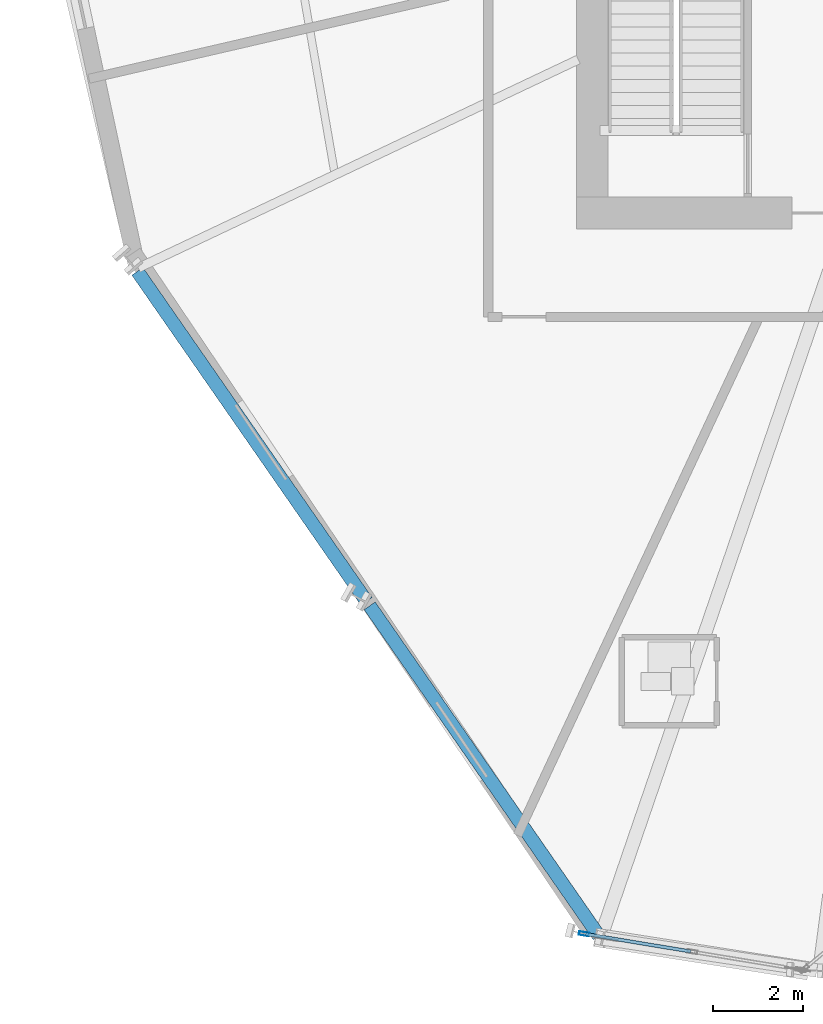
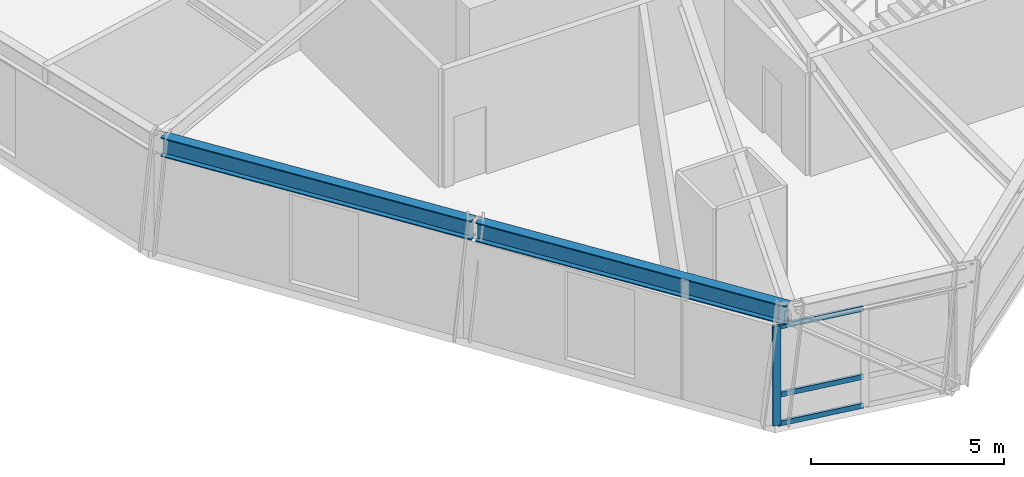
# One storey, part 2 of 16: 4 members, 2 beams, 1 element without a shape of its own.
"""IFC4 building model written with IfcOpenShell, lengths in metres."""

from ifc_helpers import new_model, si_unit, direction, frame, origin, origin_2d, place, context, subcontext, project, spatial, hollow_rectangle, i_section, extrude, source, transform, mapped, material, material_profile, profile_set, type_object, element, aggregate, save


model = new_model("IFC4")

# Units and contexts
model_context = context("Model", 3, precision=1e-05, world=origin(), true_north=direction((0.0, 1.0)))
body_context = subcontext(model_context, "Body", "Model", "MODEL_VIEW")
ifc_project = project(units=[si_unit("LENGTHUNIT", "METRE"), si_unit("AREAUNIT", "SQUARE_METRE"), si_unit("VOLUMEUNIT", "CUBIC_METRE"), si_unit("PLANEANGLEUNIT", "RADIAN"), si_unit("MASSUNIT", "GRAM", prefix="KILO")], contexts=[model_context])

# Site, building, storey
site_placement = place(None, origin())
site = spatial("IfcSite", under=ifc_project, at=site_placement, CompositionType="ELEMENT")
building_placement = place(site_placement, origin())
building = spatial("IfcBuilding", under=site, at=building_placement, Name="Olszyna Solenne Hotel", CompositionType="ELEMENT")
storey_placement = place(building_placement, frame((0.0, 0.0, 134.10009765625)))
storey = spatial("IfcBuildingStorey", under=building, at=storey_placement, Name="L35", CompositionType="ELEMENT", Elevation=134.10009765625)

# Beams
ifc_material_1 = material(Name="Steel S355J2", Category="steel")
ifc_material_profile_1 = material_profile(ifc_material_1, i_section(OverallWidth=0.300048828125, OverallDepth=0.60009765625, WebThickness=0.015380859375, FlangeThickness=0.030029296875, at=origin_2d()), Name="HEB 600", Category="load-bearing")
ifc_profile_set_1 = profile_set([ifc_material_profile_1], Name="Steel S355J2")
beam_type = type_object("IfcBeamType", Name="BM-S2", PredefinedType="BEAM", material=ifc_profile_set_1)
shared_shape_1 = source(origin(), body_context, "Body", "SweptSolid", [
    extrude(i_section(OverallWidth=0.300048828125, OverallDepth=0.60009765625, WebThickness=0.015380859375, FlangeThickness=0.030029296875, at=origin_2d()), origin(), (0.0, 0.0, 1.0), 8.90087890625),
])
for number, where, z_axis, x_axis, name in (
    (1, (19.67822265625, 17.857177734375, 3.449951171875), (0.570349032989, -0.821402447384, 0.0), (0.821402447384, 0.570349032989, 0.0), "Perimeter spandrel beam BM-S2 B-L35-1048"),
    (2, (24.823486328125, 10.447265625, 3.449951171875), (0.570349032989, -0.821402447384, 0.0), (0.821402447384, 0.570349032989, 0.0), "Perimeter spandrel beam BM-S2 B-L35-1049"),
):
    element("IfcBeam", number, at=place(storey_placement, frame(where, z_axis=z_axis, x_axis=x_axis)), inside=storey, type_object=beam_type, Name=name, PredefinedType="BEAM", context=body_context, shape_type="MappedRepresentation", body=[
        mapped(shared_shape_1, transform((0.0, 0.0, 0.0), x_axis=(1.0, 0.0, 0.0), y_axis=(0.0, 1.0, 0.0), z_axis=(0.0, 0.0, 1.0), scale=1.0)),
    ])

# Curtain wall, members
ifc_material_2 = material(Name="Anodised bronze aluminium", Category="aluminium")
curtain_wall_type = type_object("IfcCurtainWallType", Name="CW-SYS-6", PredefinedType="NOTDEFINED", material=ifc_material_2)
curtain_wall_placement = place(storey_placement, origin())
curtain_wall = element("IfcCurtainWall", 3, at=curtain_wall_placement, inside=storey, type_object=curtain_wall_type, Name="Unitised curtain wall CW-SYS-6 CW-L35-02", PredefinedType="NOTDEFINED")
ifc_material_profile_2 = material_profile(ifc_material_2, hollow_rectangle(XDim=0.080078125, YDim=0.219970703125, WallThickness=0.0048828125, at=origin_2d()), Name="MULL 220x80x5", Category="load-bearing")
ifc_profile_set_2 = profile_set([ifc_material_profile_2], Name="Anodised bronze aluminium")
member_type_1 = type_object("IfcMemberType", Name="CW-M1", PredefinedType="MULLION", material=ifc_profile_set_2)
shared_shape_2 = source(origin(), body_context, "Body", "SweptSolid", [
    extrude(hollow_rectangle(XDim=0.080078125, YDim=0.219970703125, WallThickness=0.0048828125, at=origin_2d()), origin(), (0.0, 0.0, 1.0), 3.141845703125),
])
member_1_placement = place(storey_placement, frame((29.569580078125, 3.181884765625, 0.0), z_axis=(0.0, 0.0, 1.0), x_axis=(0.163322355132, 0.986572758753, 0.0)))
member_1 = element("IfcMember", 4, at=member_1_placement, type_object=member_type_1, Name="Curtain-wall mullion CW-M1 CM-L35-02-01", PredefinedType="MULLION", context=body_context, shape_type="MappedRepresentation", body=[
    mapped(shared_shape_2, transform((0.0, 0.0, 0.0), x_axis=(1.0, 0.0, 0.0), y_axis=(0.0, 1.0, 0.0), z_axis=(0.0, 0.0, 1.0), scale=1.0)),
])
ifc_material_profile_3 = material_profile(ifc_material_2, hollow_rectangle(XDim=0.074951171875, YDim=0.159912109375, WallThickness=0.00390625, at=origin_2d()), Name="TRAN 160x75x4", Category="load-bearing")
ifc_profile_set_3 = profile_set([ifc_material_profile_3], Name="Anodised bronze aluminium")
member_type_2 = type_object("IfcMemberType", Name="CW-T1", PredefinedType="USERDEFINED", material=ifc_profile_set_3)
shared_shape_3 = source(origin(), body_context, "Body", "SweptSolid", [
    extrude(hollow_rectangle(XDim=0.074951171875, YDim=0.159912109375, WallThickness=0.00390625, at=origin_2d()), origin(), (0.0, 0.0, 1.0), 2.35791015625),
])
member_2_placement = place(storey_placement, frame((29.609130859375, 3.175537109375, 0.037353515625), z_axis=(0.986561317538, -0.163391452464, 0.0), x_axis=(0.163391452464, 0.986561317538, 0.0)))
member_2 = element("IfcMember", 5, at=member_2_placement, type_object=member_type_2, Name="Curtain-wall transom CW-T1 CT-L35-02-01", ObjectType="TRANSOM", PredefinedType="USERDEFINED", context=body_context, shape_type="MappedRepresentation", body=[
    mapped(shared_shape_3, transform((0.0, 0.0, 0.0), x_axis=(1.0, 0.0, 0.0), y_axis=(0.0, 1.0, 0.0), z_axis=(0.0, 0.0, 1.0), scale=1.0)),
])
member_3_placement = place(storey_placement, frame((29.609130859375, 3.175537109375, 0.949951171875), z_axis=(0.986561317538, -0.163391452464, 0.0), x_axis=(0.163391452464, 0.986561317538, 0.0)))
member_3 = element("IfcMember", 6, at=member_3_placement, type_object=member_type_2, Name="Curtain-wall transom CW-T1 CT-L35-02-02", ObjectType="TRANSOM", PredefinedType="USERDEFINED", context=body_context, shape_type="MappedRepresentation", body=[
    mapped(shared_shape_3, transform((0.0, 0.0, 0.0), x_axis=(1.0, 0.0, 0.0), y_axis=(0.0, 1.0, 0.0), z_axis=(0.0, 0.0, 1.0), scale=1.0)),
])
member_4_placement = place(storey_placement, frame((29.609130859375, 3.175537109375, 3.1044921875), z_axis=(0.986561317538, -0.163391452464, 0.0), x_axis=(0.163391452464, 0.986561317538, 0.0)))
member_4 = element("IfcMember", 7, at=member_4_placement, type_object=member_type_2, Name="Curtain-wall transom CW-T1 CT-L35-02-03", ObjectType="TRANSOM", PredefinedType="USERDEFINED", context=body_context, shape_type="MappedRepresentation", body=[
    mapped(shared_shape_3, transform((0.0, 0.0, 0.0), x_axis=(1.0, 0.0, 0.0), y_axis=(0.0, 1.0, 0.0), z_axis=(0.0, 0.0, 1.0), scale=1.0)),
])
aggregate(curtain_wall, [member_1, member_2, member_3, member_4])

save(model, "model.ifc")
